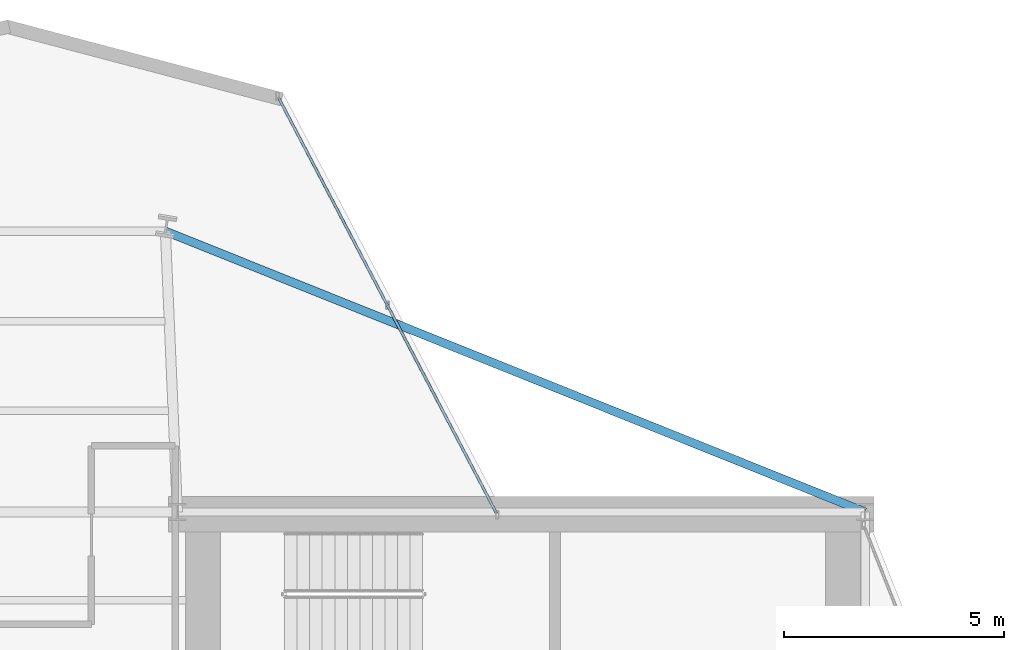
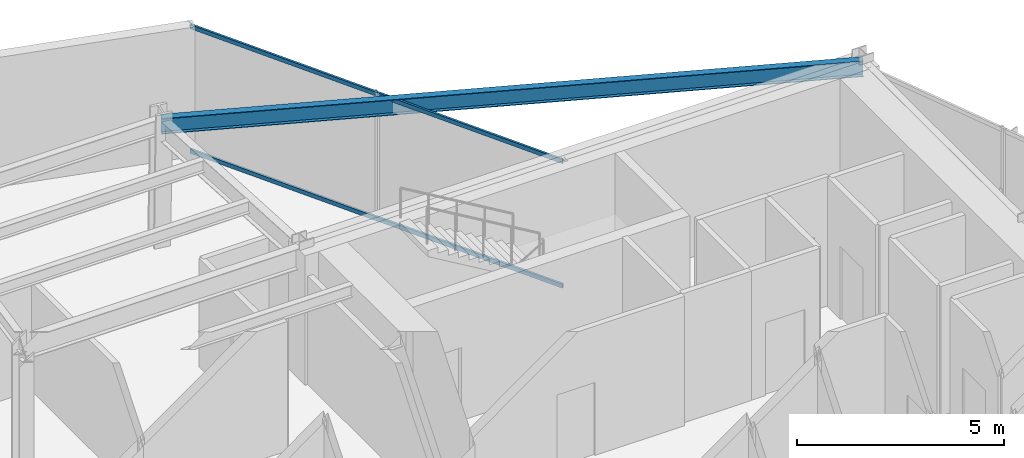
# One storey, part 16 of 25: 2 members, 1 beam, 1 element without a shape of its own.
"""IFC4 building model written with IfcOpenShell, lengths in metres."""

from ifc_helpers import new_model, si_unit, direction, frame, origin, origin_2d, place, context, subcontext, project, spatial, hollow_rectangle, i_section, extrude, material, layer, layer_set, material_profile, profile_set, type_object, element, aggregate, save


model = new_model("IFC4")

# Units and contexts
model_context = context("Model", 3, precision=1e-05, world=origin(), true_north=direction((0.0, 1.0)))
body_context = subcontext(model_context, "Body", "Model", "MODEL_VIEW")
ifc_project = project(units=[si_unit("LENGTHUNIT", "METRE"), si_unit("AREAUNIT", "SQUARE_METRE"), si_unit("VOLUMEUNIT", "CUBIC_METRE"), si_unit("PLANEANGLEUNIT", "RADIAN"), si_unit("MASSUNIT", "GRAM", prefix="KILO")], contexts=[model_context])

# Site, building, storey
site_placement = place(None, origin())
site = spatial("IfcSite", under=ifc_project, at=site_placement, CompositionType="ELEMENT")
building_placement = place(site_placement, origin())
building = spatial("IfcBuilding", under=site, at=building_placement, Name="Veymaron Broadcast Tower", CompositionType="ELEMENT")
storey_placement = place(building_placement, frame((0.0, 0.0, 149.25)))
storey = spatial("IfcBuildingStorey", under=building, at=storey_placement, Name="L34", CompositionType="ELEMENT", Elevation=149.25)

# Beam
ifc_material_1 = material(Name="Structural steel ASTM A992 Gr 50", Category="steel")
ifc_material_profile_1 = material_profile(ifc_material_1, i_section(OverallWidth=0.19091796875, OverallDepth=0.4599609375, WebThickness=0.010009765625, FlangeThickness=0.01611328125, at=origin_2d()), Name="W460X82")
ifc_profile_set_1 = profile_set([ifc_material_profile_1], Name="Structural steel ASTM A992 Gr 50")
beam_type = type_object("IfcBeamType", Name="BM-SP1", PredefinedType="SPANDREL", material=ifc_profile_set_1)
beam_placement = place(storey_placement, frame((54.60009765625, 32.0, 3.580078125), z_axis=(-0.928091240727, 0.372352855348, 0.0), x_axis=(-0.372352855348, -0.928091240727, 0.0)))
element("IfcBeam", 1, at=beam_placement, inside=storey, type_object=beam_type, Name="L34 primary structural floor girder", PredefinedType="SPANDREL", context=body_context, shape_type="SweptSolid", body=[
    extrude(i_section(OverallWidth=0.19091796875, OverallDepth=0.4599609375, WebThickness=0.010009765625, FlangeThickness=0.01611328125, at=origin_2d()), origin(), (0.0, 0.0, 1.0), 17.101806640625),
])

# Curtain wall, members
ifc_material_2 = material(Name="Anodised aluminium AA 6063-T6 and laminated low-E dark glass", Category="aluminium")
ifc_layer = layer(ifc_material_2, 0.179931640625)
ifc_layer_set = layer_set([ifc_layer], Name="Anodised aluminium AA 6063-T6 and laminated low-E dark glass")
curtain_wall_type = type_object("IfcCurtainWallType", Name="CW-SYS-03", PredefinedType="NOTDEFINED", material=ifc_layer_set)
curtain_wall_placement = place(storey_placement, origin())
curtain_wall = element("IfcCurtainWall", 2, at=curtain_wall_placement, inside=storey, type_object=curtain_wall_type, Name="L34 dark-glass curtain wall CW-L34-E5-1", PredefinedType="NOTDEFINED")
ifc_material_3 = material(Name="Anodised aluminium AA 6063-T6", Category="aluminium")
ifc_material_profile_2 = material_profile(ifc_material_3, hollow_rectangle(XDim=0.06005859375, YDim=0.1201171875, WallThickness=0.00390625, at=origin_2d()), Name="AL120X60X4")
ifc_profile_set_2 = profile_set([ifc_material_profile_2], Name="Anodised aluminium AA 6063-T6")
member_type = type_object("IfcMemberType", Name="CW-TRN-02", PredefinedType="USERDEFINED", material=ifc_profile_set_2)
member_1_placement = place(storey_placement, frame((46.233154296875, 31.979248046875, 0.070068359375), z_axis=(-0.464469622178, 0.885589052594, 0.0), x_axis=(-0.885589052594, -0.464469622178, 0.0)))
member_1 = element("IfcMember", 3, at=member_1_placement, type_object=member_type, Name="CW-L34-E5-1 transom B", ObjectType="TRANSOM", PredefinedType="USERDEFINED", context=body_context, shape_type="SweptSolid", body=[
    extrude(hollow_rectangle(XDim=0.06005859375, YDim=0.1201171875, WallThickness=0.00390625, at=origin_2d()), origin(), (0.0, 0.0, 1.0), 10.627197265625),
])
member_2_placement = place(storey_placement, frame((46.233154296875, 31.979248046875, 3.739990234375), z_axis=(-0.464469622178, 0.885589052594, 0.0), x_axis=(-0.885589052594, -0.464469622178, 0.0)))
member_2 = element("IfcMember", 4, at=member_2_placement, type_object=member_type, Name="CW-L34-E5-1 transom T", ObjectType="TRANSOM", PredefinedType="USERDEFINED", context=body_context, shape_type="SweptSolid", body=[
    extrude(hollow_rectangle(XDim=0.06005859375, YDim=0.1201171875, WallThickness=0.00390625, at=origin_2d()), origin(), (0.0, 0.0, 1.0), 10.627197265625),
])
aggregate(curtain_wall, [member_1, member_2])

save(model, "model.ifc")
